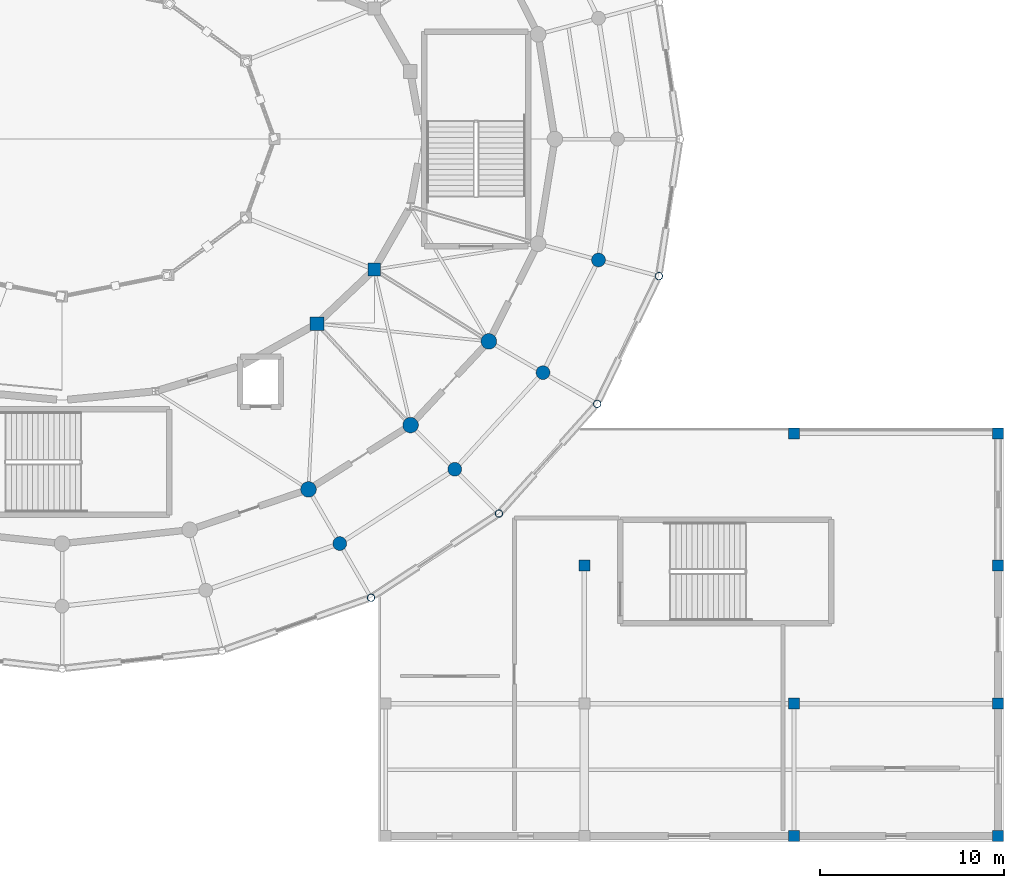
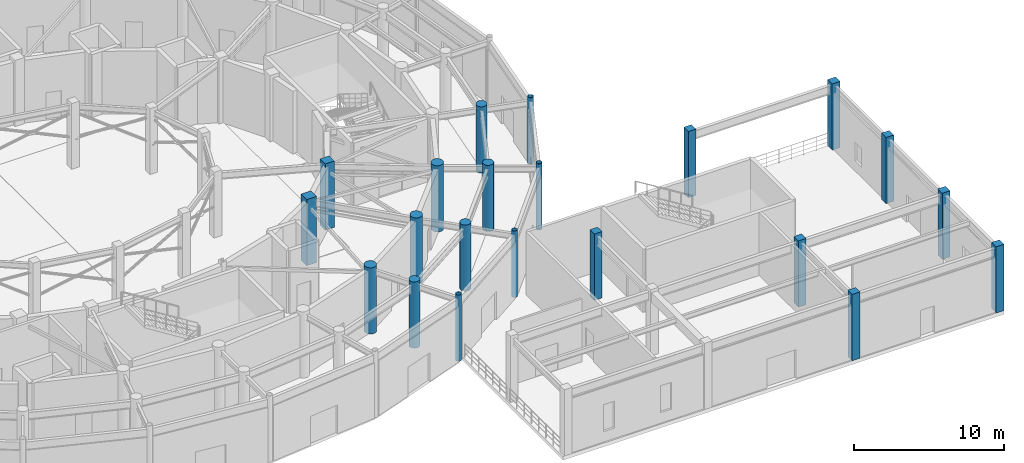
# One storey, part 16 of 93: 21 columns.
"""IFC4 building model written with IfcOpenShell, lengths in metres."""

import ifcopenshell
import ifcopenshell.guid

model = None  # the IFC model being written
_history = None  # IfcOwnerHistory: only IFC2X3 demands one
_inside = {}  # id of a spatial element -> (the spatial element, [elements in it])
_under = {}  # id of a project, library or spatial element -> (it, [spatial elements below it])
_declared = {}  # id of a project -> (the project, [libraries it declares])
_typed = {}  # id of a type object -> (the type object, [elements of that type])
_made_of = {}  # id of a material, layer set ... -> (it, [elements and type objects made of it])


def new_model(schema):
    """Start an empty IFC model of exactly this schema.

    Asked for "IFC4X3", IfcOpenShell would pick the latest addendum, in which some entities
    have other attributes; the version numbers below select the first issue.
    IFC2X3 requires an IfcOwnerHistory on every rooted entity: one is made here for all.
    """
    global model, _history
    if schema == "IFC4X3":
        model = ifcopenshell.file(schema_version=(4, 3, 0, 0))
    else:
        model = ifcopenshell.file(schema=schema)
    _inside.clear()
    _under.clear()
    _declared.clear()
    _typed.clear()
    _made_of.clear()
    _history = None
    if model.schema == "IFC2X3":
        org = make("IfcOrganization", Name="unknown")
        user = make(
            "IfcPersonAndOrganization",
            ThePerson=make("IfcPerson", FamilyName="unknown"),
            TheOrganization=org,
        )
        app = make(
            "IfcApplication",
            ApplicationDeveloper=org,
            Version="unknown",
            ApplicationFullName="unknown",
            ApplicationIdentifier="unknown",
        )
        _history = make(
            "IfcOwnerHistory",
            OwningUser=user,
            OwningApplication=app,
            ChangeAction="ADDED",
            CreationDate=0,
        )
    return model


def make(cls, **values):
    """One entity of the class cls with the attributes given. An attribute that is None is left unset."""
    return model.create_entity(
        cls, **{name: value for name, value in values.items() if value is not None}
    )


def rooted(cls, **values):
    """An entity with a GlobalId (a new one), such as an element, a storey or a relation."""
    return make(cls, GlobalId=ifcopenshell.guid.new(), OwnerHistory=_history, **values)


def si_unit(unit_type, name, prefix=None):
    """IfcSIUnit, for example si_unit("LENGTHUNIT", "METRE", prefix="MILLI")."""
    return make("IfcSIUnit", UnitType=unit_type, Prefix=prefix, Name=name)


def assignment(units):
    """IfcUnitAssignment: the units of a project."""
    return None if units is None else make("IfcUnitAssignment", Units=units)


def point(xyz):
    """IfcCartesianPoint."""
    return None if xyz is None else make("IfcCartesianPoint", Coordinates=xyz)


def direction(xyz):
    """IfcDirection."""
    return None if xyz is None else make("IfcDirection", DirectionRatios=xyz)


def frame(location, z_axis=None, x_axis=None):
    """IfcAxis2Placement3D, a coordinate frame: its origin and axes. An axis left out is left unset."""
    return make(
        "IfcAxis2Placement3D",
        Location=point(location),
        Axis=direction(z_axis),
        RefDirection=direction(x_axis),
    )


def frame_2d(location, x_axis=None):
    """IfcAxis2Placement2D, a coordinate frame in the plane: its origin and x axis."""
    return make(
        "IfcAxis2Placement2D", Location=point(location), RefDirection=direction(x_axis)
    )


def origin():
    """The frame at (0, 0, 0) with its axes left unset."""
    return frame((0.0, 0.0, 0.0))


def origin_2d():
    """The frame at (0, 0) in the plane with its x axis left unset."""
    return frame_2d((0.0, 0.0))


def place(relative_to, where):
    """IfcLocalPlacement: puts the frame where relative to a parent placement (None: the world)."""
    return make(
        "IfcLocalPlacement", PlacementRelTo=relative_to, RelativePlacement=where
    )


def context(
    kind, dimensions, precision=None, world=None, true_north=None, identifier=None
):
    """IfcGeometricRepresentationContext, for example the 3D "Model" context."""
    return make(
        "IfcGeometricRepresentationContext",
        ContextIdentifier=identifier,
        ContextType=kind,
        CoordinateSpaceDimension=dimensions,
        Precision=precision,
        WorldCoordinateSystem=world,
        TrueNorth=true_north,
    )


def subcontext(parent, identifier, kind, view, scale=None):
    """IfcGeometricRepresentationSubContext, for example "Body" below "Model"."""
    return make(
        "IfcGeometricRepresentationSubContext",
        ContextIdentifier=identifier,
        ContextType=kind,
        ParentContext=parent,
        TargetScale=scale,
        TargetView=view,
    )


def project(units=None, contexts=None):
    """IfcProject with its units and contexts."""
    return rooted(
        "IfcProject",
        Name="project",
        RepresentationContexts=contexts,
        UnitsInContext=assignment(units),
    )


def spatial(cls, under=None, at=None, **own):
    """A site, building, storey or space (cls), placed at a placement, below another one or the project."""
    s = rooted(cls, ObjectPlacement=at, **own)
    if under is not None:
        _under.setdefault(under.id(), (under, []))[1].append(s)
    return s


def profile(cls, at=None, kind="AREA", **sizes):
    """A parametric profile (cls). Its sizes go by their IFC names, for example OverallWidth=200.0."""
    return make(cls, ProfileType=kind, Position=at, **sizes)


def rectangle(**sizes):
    """IfcRectangleProfileDef."""
    return profile("IfcRectangleProfileDef", **sizes)


def circle(**sizes):
    """IfcCircleProfileDef."""
    return profile("IfcCircleProfileDef", **sizes)


def hollow_circle(**sizes):
    """IfcCircleHollowProfileDef."""
    return profile("IfcCircleHollowProfileDef", **sizes)


def extrude(swept, where, along, depth):
    """IfcExtrudedAreaSolid: the profile swept, set in the frame where, extruded along a direction by depth."""
    return make(
        "IfcExtrudedAreaSolid",
        SweptArea=swept,
        Position=where,
        ExtrudedDirection=direction(along),
        Depth=depth,
    )


def shape(context_of_items, identifier, shape_type, items):
    """IfcShapeRepresentation: the items that make up one representation, for example the "Body"."""
    return make(
        "IfcShapeRepresentation",
        ContextOfItems=context_of_items,
        RepresentationIdentifier=identifier,
        RepresentationType=shape_type,
        Items=items,
    )


def material(Name=None, Category=None):
    """IfcMaterial."""
    return make("IfcMaterial", Name=Name, Category=Category)


def material_profile(
    of_material, cross_section, Name=None, Category=None, Priority=None
):
    """IfcMaterialProfile: a cross section and its material."""
    return make(
        "IfcMaterialProfile",
        Name=Name,
        Material=of_material,
        Profile=cross_section,
        Priority=Priority,
        Category=Category,
    )


def profile_set(profiles, Name=None, composite=None):
    """IfcMaterialProfileSet."""
    return make(
        "IfcMaterialProfileSet",
        Name=Name,
        MaterialProfiles=profiles,
        CompositeProfile=composite,
    )


def made_of(thing, what):
    """Note that an element or type object is made of a material, layer set ...; save() writes the relation."""
    if what is not None:
        _made_of.setdefault(what.id(), (what, []))[1].append(thing)
    return thing


def type_object(cls, material=None, **own):
    """A type object (cls), such as IfcWallType, which elements share."""
    return made_of(rooted(cls, **own), material)


def element(
    cls,
    number,
    at=None,
    inside=None,
    cuts=None,
    type_object=None,
    material=None,
    context=None,
    identifier="Body",
    shape_type=None,
    held_by="IfcProductDefinitionShape",
    body=None,
    shapes=None,
    **own,
):
    """One element of the class cls, such as IfcWall. Its Tag is "e" and its number.

    at: its placement. inside: the storey or other place that contains it. cuts: it is an
    opening in that element (IfcRelVoidsElement). A single representation is given by context,
    identifier, shape_type and body (its items); several are given by shapes. held_by: the class
    of the entity that holds the representations. save() writes the other relations.
    """
    e = rooted(cls, Tag="e%d" % number, ObjectPlacement=at, **own)
    if body is not None:
        shapes = [shape(context, identifier, shape_type, body)]
    if shapes is not None:
        e.Representation = make(held_by, Representations=shapes)
    if inside is not None:
        _inside.setdefault(inside.id(), (inside, []))[1].append(e)
    if cuts is not None:
        rooted(
            "IfcRelVoidsElement", RelatingBuildingElement=cuts, RelatedOpeningElement=e
        )
    if type_object is not None:
        _typed.setdefault(type_object.id(), (type_object, []))[1].append(e)
    return made_of(e, material)


def aggregate(whole, parts):
    """IfcRelAggregates: a whole, such as a stair, and the parts it consists of."""
    return rooted("IfcRelAggregates", RelatingObject=whole, RelatedObjects=parts)


def save(model, path):
    """Write the relations noted so far, then the file.

    IfcRelAggregates (storeys below a building ...), IfcRelContainedInSpatialStructure (elements
    in a storey), IfcRelDefinesByType, IfcRelAssociatesMaterial and IfcRelDeclares: one each for
    every whole, place, type object, material and project.
    """
    for whole, parts in _under.values():
        aggregate(whole, parts)
    for where, things in _inside.values():
        rooted(
            "IfcRelContainedInSpatialStructure",
            RelatedElements=things,
            RelatingStructure=where,
        )
    for kind, things in _typed.values():
        rooted("IfcRelDefinesByType", RelatedObjects=things, RelatingType=kind)
    for what, things in _made_of.values():
        rooted("IfcRelAssociatesMaterial", RelatedObjects=things, RelatingMaterial=what)
    for by, libraries in _declared.values():
        rooted("IfcRelDeclares", RelatingContext=by, RelatedDefinitions=libraries)
    model.write(path)


model = new_model("IFC4")

# Units and contexts
model_context = context("Model", 3, precision=1e-05, world=origin(), true_north=direction((0.0, 1.0)))
body_context = subcontext(model_context, "Body", "Model", "MODEL_VIEW")
ifc_project = project(units=[si_unit("LENGTHUNIT", "METRE"), si_unit("AREAUNIT", "SQUARE_METRE"), si_unit("VOLUMEUNIT", "CUBIC_METRE"), si_unit("PLANEANGLEUNIT", "RADIAN"), si_unit("MASSUNIT", "GRAM", prefix="KILO")], contexts=[model_context])

# Site, building, storey
site_placement = place(None, origin())
site = spatial("IfcSite", under=ifc_project, at=site_placement, CompositionType="ELEMENT")
building_placement = place(site_placement, origin())
building = spatial("IfcBuilding", under=site, at=building_placement, Name="Cinderbank Siding Concert Hall", CompositionType="ELEMENT")
storey_placement = place(building_placement, origin())
storey = spatial("IfcBuildingStorey", under=building, at=storey_placement, Name="L01", CompositionType="ELEMENT", Elevation=0.0)

# Columns
ifc_material_1 = material(Name="Structural steel hollow section AS/NZS 1163 Grade C350L0 (350 MPa)", Category="steel")
ifc_material_profile_1 = material_profile(ifc_material_1, hollow_circle(Radius=0.203125, WallThickness=0.01611328125, at=origin_2d()), Name="406.4x16.0CHS", Category="LoadBearing")
ifc_profile_set_1 = profile_set([ifc_material_profile_1], Name="Structural steel hollow section AS/NZS 1163 Grade C350L0 (350 MPa)")
column_type_1 = type_object("IfcColumnType", Name="C-CHS406 406.4x16.0CHS", PredefinedType="COLUMN", material=ifc_profile_set_1)
for number, where, z_axis, x_axis, name in (
    (1, (138.800048828125, 19.05810546875, 0.0), (0.0, 0.0, 1.0), (1.0, 0.0, 0.0), "L01 Column COL-E4-21"),
    (2, (145.759033203125, 23.635009765625, 0.0), (0.0, 0.0, 1.0), (1.0, 0.0, 0.0), "L01 Column COL-E4-22"),
    (3, (151.09912109375, 29.60009765625, 0.0), (0.0, 0.0, 1.0), (1.0, 0.0, 0.0), "L01 Column COL-E4-23"),
    (4, (154.455078125, 36.5458984375, 0.0), (0.0, 0.0, 1.0), (1.0, 0.0, 0.0), "L01 Column COL-E4-24"),
):
    element("IfcColumn", number, at=place(storey_placement, frame(where, z_axis=z_axis, x_axis=x_axis)), inside=storey, type_object=column_type_1, Name=name, PredefinedType="COLUMN", context=body_context, shape_type="SweptSolid", body=[
        extrude(hollow_circle(Radius=0.203125, WallThickness=0.01611328125, at=origin_2d()), origin(), (0.0, 0.0, 1.0), 5.39990234375),
    ])
ifc_material_2 = material(Name="Reinforced concrete AS 3600 N50 (50 MPa)", Category="concrete")
ifc_material_profile_2 = material_profile(ifc_material_2, rectangle(XDim=0.60009765625, YDim=0.60009765625, at=origin_2d()), Name="RC-COL-600x600", Category="LoadBearing")
ifc_profile_set_2 = profile_set([ifc_material_profile_2], Name="Reinforced concrete AS 3600 N50 (50 MPa)")
column_type_2 = type_object("IfcColumnType", Name="C-RC600 RC-COL-600x600", PredefinedType="COLUMN", material=ifc_profile_set_2)
for number, where, z_axis, x_axis, name in (
    (5, (150.39990234375, 20.800048828125, 0.0), (0.0, 0.0, 1.0), (1.0, 0.0, 0.0), "L01 Column COL-SE-2-3"),
    (6, (161.800048828125, 6.10009765625, 0.0), (0.0, 0.0, 1.0), (1.0, 0.0, 0.0), "L01 Column COL-SE-3-1"),
    (7, (161.800048828125, 13.300048828125, 0.0), (0.0, 0.0, 1.0), (1.0, 0.0, 0.0), "L01 Column COL-SE-3-2"),
    (8, (161.800048828125, 28.0, 0.0), (0.0, 0.0, 1.0), (1.0, 0.0, 0.0), "L01 Column COL-SE-3-4"),
    (9, (172.89990234375, 6.10009765625, 0.0), (0.0, 0.0, 1.0), (1.0, 0.0, 0.0), "L01 Column COL-SE-4-1"),
    (10, (172.89990234375, 13.300048828125, 0.0), (0.0, 0.0, 1.0), (1.0, 0.0, 0.0), "L01 Column COL-SE-4-2"),
    (11, (172.89990234375, 20.800048828125, 0.0), (0.0, 0.0, 1.0), (1.0, 0.0, 0.0), "L01 Column COL-SE-4-3"),
    (12, (172.89990234375, 28.0, 0.0), (0.0, 0.0, 1.0), (1.0, 0.0, 0.0), "L01 Column COL-SE-4-4"),
):
    element("IfcColumn", number, at=place(storey_placement, frame(where, z_axis=z_axis, x_axis=x_axis)), inside=storey, type_object=column_type_2, Name=name, PredefinedType="COLUMN", context=body_context, shape_type="SweptSolid", body=[
        extrude(rectangle(XDim=0.60009765625, YDim=0.60009765625, at=origin_2d()), origin(), (0.0, 0.0, 1.0), 5.39990234375),
    ])
ifc_material_profile_3 = material_profile(ifc_material_2, rectangle(XDim=0.699951171875, YDim=0.699951171875, at=origin_2d()), Name="RC-COL-700x700", Category="LoadBearing")
ifc_profile_set_3 = profile_set([ifc_material_profile_3], Name="Reinforced concrete AS 3600 N50 (50 MPa)")
column_type_3 = type_object("IfcColumnType", Name="C-RC700 RC-COL-700x700", PredefinedType="COLUMN", material=ifc_profile_set_3)
column_1_placement = place(storey_placement, frame((138.97412109375, 36.89990234375, 0.0), z_axis=(0.0, 0.0, 1.0), x_axis=(1.0, 0.0, 0.0)))
element("IfcColumn", 13, at=column_1_placement, inside=storey, type_object=column_type_3, Name="L01 Column COL-E1-23", PredefinedType="COLUMN", context=body_context, shape_type="SweptSolid", body=[
    extrude(rectangle(XDim=0.699951171875, YDim=0.699951171875, at=origin_2d()), origin(), (0.0, 0.0, 1.0), 5.39990234375),
])
ifc_material_profile_4 = material_profile(ifc_material_2, rectangle(XDim=0.75, YDim=0.75, at=origin_2d()), Name="RC-COL-750x750", Category="LoadBearing")
ifc_profile_set_4 = profile_set([ifc_material_profile_4], Name="Reinforced concrete AS 3600 N50 (50 MPa)")
column_type_4 = type_object("IfcColumnType", Name="C-RC750 RC-COL-750x750", PredefinedType="COLUMN", material=ifc_profile_set_4)
column_2_placement = place(storey_placement, frame((135.85888671875, 33.958984375, 0.0), z_axis=(0.0, 0.0, 1.0), x_axis=(1.0, 0.0, 0.0)))
element("IfcColumn", 14, at=column_2_placement, inside=storey, type_object=column_type_4, Name="L01 Column COL-E1-22", PredefinedType="COLUMN", context=body_context, shape_type="SweptSolid", body=[
    extrude(rectangle(XDim=0.75, YDim=0.75, at=origin_2d()), origin(), (0.0, 0.0, 1.0), 5.39990234375),
])
ifc_material_profile_5 = material_profile(ifc_material_2, circle(Radius=0.375, at=origin_2d()), Name="RC-COL-750DIA", Category="LoadBearing")
ifc_profile_set_5 = profile_set([ifc_material_profile_5], Name="Reinforced concrete AS 3600 N50 (50 MPa)")
column_type_5 = type_object("IfcColumnType", Name="C-RCD750 RC-COL-750DIA", PredefinedType="COLUMN", material=ifc_profile_set_5)
for number, where, z_axis, x_axis, name in (
    (15, (137.10009765625, 22.0029296875, 0.0), (0.0, 0.0, 1.0), (1.0, 0.0, 0.0), "L01 Column COL-E3-21"),
    (16, (143.35498046875, 26.0400390625, 0.0), (0.0, 0.0, 1.0), (1.0, 0.0, 0.0), "L01 Column COL-E3-22"),
    (17, (148.154052734375, 31.300048828125, 0.0), (0.0, 0.0, 1.0), (1.0, 0.0, 0.0), "L01 Column COL-E3-23"),
    (18, (151.1708984375, 37.426025390625, 0.0), (0.0, 0.0, 1.0), (1.0, 0.0, 0.0), "L01 Column COL-E3-24"),
):
    element("IfcColumn", number, at=place(storey_placement, frame(where, z_axis=z_axis, x_axis=x_axis)), inside=storey, type_object=column_type_5, Name=name, PredefinedType="COLUMN", context=body_context, shape_type="SweptSolid", body=[
        extrude(circle(Radius=0.375, at=origin_2d()), origin(), (0.0, 0.0, 1.0), 5.39990234375),
    ])
ifc_material_profile_6 = material_profile(ifc_material_2, circle(Radius=0.425048828125, at=origin_2d()), Name="RC-COL-850DIA", Category="LoadBearing")
ifc_profile_set_6 = profile_set([ifc_material_profile_6], Name="Reinforced concrete AS 3600 N50 (50 MPa)")
column_type_6 = type_object("IfcColumnType", Name="C-RCD850 RC-COL-850DIA", PredefinedType="COLUMN", material=ifc_profile_set_6)
for number, where, z_axis, x_axis, name in (
    (19, (135.39990234375, 24.947021484375, 0.0), (0.0, 0.0, 1.0), (1.0, 0.0, 0.0), "L01 Column COL-E2-21"),
    (20, (140.950927734375, 28.444091796875, 0.0), (0.0, 0.0, 1.0), (1.0, 0.0, 0.0), "L01 Column COL-E2-22"),
    (21, (145.208984375, 33.0, 0.0), (0.0, 0.0, 1.0), (1.0, 0.0, 0.0), "L01 Column COL-E2-23"),
):
    element("IfcColumn", number, at=place(storey_placement, frame(where, z_axis=z_axis, x_axis=x_axis)), inside=storey, type_object=column_type_6, Name=name, PredefinedType="COLUMN", context=body_context, shape_type="SweptSolid", body=[
        extrude(circle(Radius=0.425048828125, at=origin_2d()), origin(), (0.0, 0.0, 1.0), 5.39990234375),
    ])

save(model, "model.ifc")
